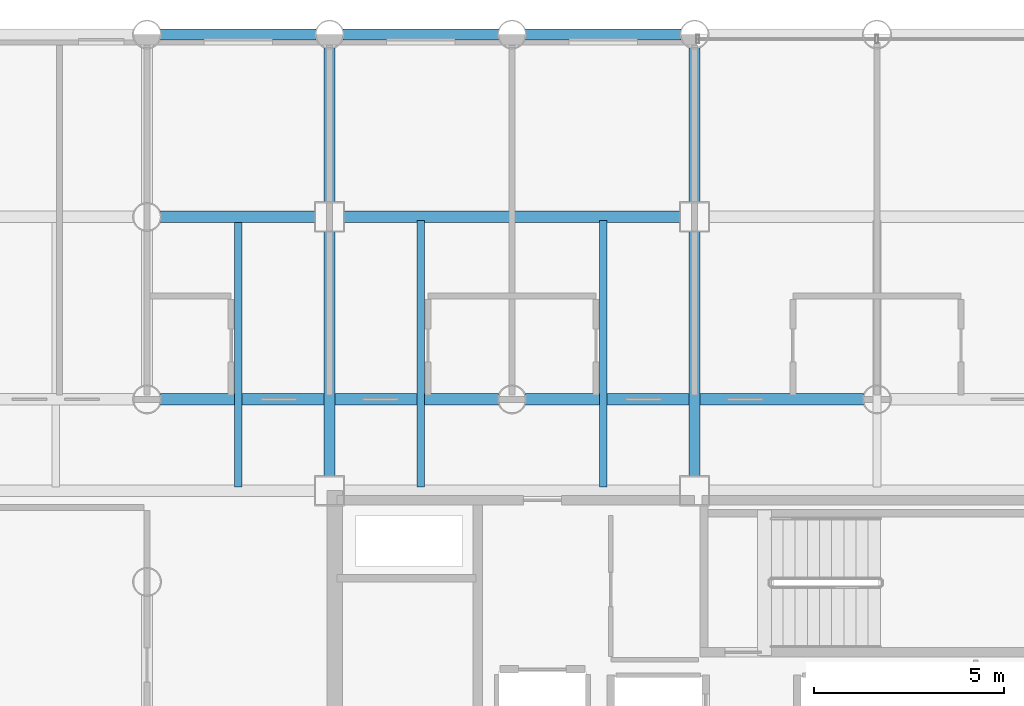
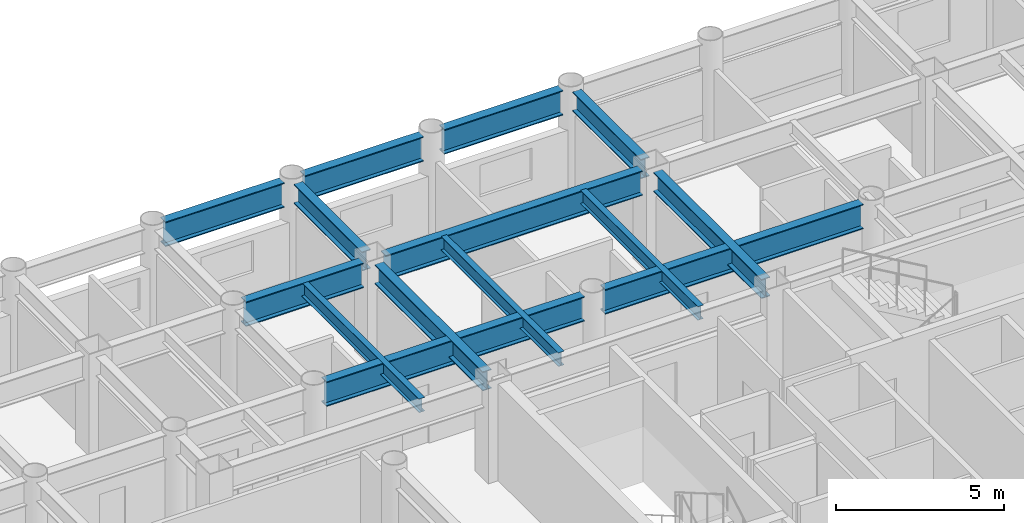
# One storey, part 10 of 22: 14 beams.
"""IFC4 building model written with IfcOpenShell, lengths in metres."""

from ifc_helpers import new_model, si_unit, direction, frame, origin, origin_2d, place, context, subcontext, project, spatial, i_section, extrude, material, material_profile, profile_set, type_object, element, save


model = new_model("IFC4")

# Units and contexts
model_context = context("Model", 3, precision=1e-05, world=origin(), true_north=direction((0.0, 1.0)))
body_context = subcontext(model_context, "Body", "Model", "MODEL_VIEW")
ifc_project = project(units=[si_unit("LENGTHUNIT", "METRE"), si_unit("AREAUNIT", "SQUARE_METRE"), si_unit("VOLUMEUNIT", "CUBIC_METRE"), si_unit("PLANEANGLEUNIT", "RADIAN"), si_unit("MASSUNIT", "GRAM", prefix="KILO")], contexts=[model_context])

# Site, building, storey
site_placement = place(None, origin())
site = spatial("IfcSite", under=ifc_project, at=site_placement, CompositionType="ELEMENT")
building_placement = place(site_placement, origin())
building = spatial("IfcBuilding", under=site, at=building_placement, Name="Kallvorn Hotel Tower", CompositionType="ELEMENT")
storey_placement = place(building_placement, frame((0.0, 0.0, 37.39990234375)))
storey = spatial("IfcBuildingStorey", under=building, at=storey_placement, Name="L07", CompositionType="ELEMENT", Elevation=37.39990234375)

# Beams
ifc_material_1 = material(Name="Structural steel S355JR", Category="steel")
ifc_material_profile_1 = material_profile(ifc_material_1, i_section(OverallWidth=0.300048828125, OverallDepth=0.699951171875, WebThickness=0.01708984375, FlangeThickness=0.031982421875, at=origin_2d()), Name="HE 700 B")
ifc_profile_set_1 = profile_set([ifc_material_profile_1], Name="Structural steel S355JR")
beam_type_1 = type_object("IfcBeamType", Name="BM_HE700B", PredefinedType="BEAM", material=ifc_profile_set_1)
beam_1_placement = place(storey_placement, frame((-14.39990234375, 7.574951171875, 3.170166015625), z_axis=(0.0, 1.0, 0.0), x_axis=(-1.0, 0.0, 0.0)))
element("IfcBeam", 1, at=beam_1_placement, inside=storey, type_object=beam_type_1, Name="L08 Primary Y-Girder 101", PredefinedType="BEAM", context=body_context, shape_type="SweptSolid", body=[
    extrude(i_section(OverallWidth=0.300048828125, OverallDepth=0.699951171875, WebThickness=0.01708984375, FlangeThickness=0.031982421875, at=origin_2d()), origin(), (0.0, 0.0, 1.0), 6.449951171875),
])
beam_2_placement = place(storey_placement, frame((-14.39990234375, 14.77490234375, 3.170166015625), z_axis=(0.0, 1.0, 0.0), x_axis=(-1.0, 0.0, 0.0)))
element("IfcBeam", 2, at=beam_2_placement, inside=storey, type_object=beam_type_1, Name="L08 Primary Y-Girder 102", PredefinedType="BEAM", context=body_context, shape_type="SweptSolid", body=[
    extrude(i_section(OverallWidth=0.300048828125, OverallDepth=0.699951171875, WebThickness=0.01708984375, FlangeThickness=0.031982421875, at=origin_2d()), origin(), (0.0, 0.0, 1.0), 4.069091796875),
])
beam_3_placement = place(storey_placement, frame((-4.800048828125, 7.574951171875, 3.170166015625), z_axis=(0.0, 1.0, 0.0), x_axis=(-1.0, 0.0, 0.0)))
element("IfcBeam", 3, at=beam_3_placement, inside=storey, type_object=beam_type_1, Name="L08 Primary Y-Girder 109", PredefinedType="BEAM", context=body_context, shape_type="SweptSolid", body=[
    extrude(i_section(OverallWidth=0.300048828125, OverallDepth=0.699951171875, WebThickness=0.01708984375, FlangeThickness=0.031982421875, at=origin_2d()), origin(), (0.0, 0.0, 1.0), 6.449951171875),
])
beam_4_placement = place(storey_placement, frame((-4.800048828125, 14.77490234375, 3.170166015625), z_axis=(0.0, 1.0, 0.0), x_axis=(-1.0, 0.0, 0.0)))
element("IfcBeam", 4, at=beam_4_placement, inside=storey, type_object=beam_type_1, Name="L08 Primary Y-Girder 110", PredefinedType="BEAM", context=body_context, shape_type="SweptSolid", body=[
    extrude(i_section(OverallWidth=0.300048828125, OverallDepth=0.699951171875, WebThickness=0.01708984375, FlangeThickness=0.031982421875, at=origin_2d()), origin(), (0.0, 0.0, 1.0), 4.069091796875),
])
ifc_material_2 = material(Name="Structural steel S355JR", Category="steel")
ifc_material_profile_2 = material_profile(ifc_material_2, i_section(OverallWidth=0.300048828125, OverallDepth=0.89990234375, WebThickness=0.0185546875, FlangeThickness=0.034912109375, at=origin_2d()), Name="HE 900 B")
ifc_profile_set_2 = profile_set([ifc_material_profile_2], Name="Structural steel S355JR")
beam_type_2 = type_object("IfcBeamType", Name="BM_HE900B", PredefinedType="BEAM", material=ifc_profile_set_2)
for number, where, z_axis, x_axis, name in (
    (5, (-18.843994140625, 9.60009765625, 3.070068359375), (1.0, 0.0, 0.0), (0.0, 1.0, 0.0), "L08 Primary X-Girder 45"),
    (6, (-9.243896484375, 9.60009765625, 3.070068359375), (1.0, 0.0, 0.0), (0.0, 1.0, 0.0), "L08 Primary X-Girder 46"),
):
    element("IfcBeam", number, at=place(storey_placement, frame(where, z_axis=z_axis, x_axis=x_axis)), inside=storey, type_object=beam_type_2, Name=name, PredefinedType="BEAM", context=body_context, shape_type="SweptSolid", body=[
        extrude(i_section(OverallWidth=0.300048828125, OverallDepth=0.89990234375, WebThickness=0.0185546875, FlangeThickness=0.034912109375, at=origin_2d()), origin(), (0.0, 0.0, 1.0), 8.887939453125),
    ])
beam_5_placement = place(storey_placement, frame((-18.843994140625, 14.39990234375, 3.070068359375), z_axis=(1.0, 0.0, 0.0), x_axis=(0.0, 1.0, 0.0)))
element("IfcBeam", 7, at=beam_5_placement, inside=storey, type_object=beam_type_2, Name="L08 Primary X-Girder 54", PredefinedType="BEAM", context=body_context, shape_type="SweptSolid", body=[
    extrude(i_section(OverallWidth=0.300048828125, OverallDepth=0.89990234375, WebThickness=0.0185546875, FlangeThickness=0.034912109375, at=origin_2d()), origin(), (0.0, 0.0, 1.0), 4.069091796875),
])
beam_6_placement = place(storey_placement, frame((-14.02490234375, 14.39990234375, 3.070068359375), z_axis=(1.0, 0.0, 0.0), x_axis=(0.0, 1.0, 0.0)))
element("IfcBeam", 8, at=beam_6_placement, inside=storey, type_object=beam_type_2, Name="L08 Primary X-Girder 55", PredefinedType="BEAM", context=body_context, shape_type="SweptSolid", body=[
    extrude(i_section(OverallWidth=0.300048828125, OverallDepth=0.89990234375, WebThickness=0.0185546875, FlangeThickness=0.034912109375, at=origin_2d()), origin(), (0.0, 0.0, 1.0), 8.849853515625),
])
for number, where, z_axis, x_axis, name in (
    (9, (-18.843994140625, 19.199951171875, 3.070068359375), (1.0, 0.0, 0.0), (0.0, 1.0, 0.0), "L08 Primary X-Girder 63"),
    (10, (-14.0439453125, 19.199951171875, 3.070068359375), (1.0, 0.0, 0.0), (0.0, 1.0, 0.0), "L08 Primary X-Girder 64"),
    (11, (-9.243896484375, 19.199951171875, 3.070068359375), (1.0, 0.0, 0.0), (0.0, 1.0, 0.0), "L08 Primary X-Girder 65"),
):
    element("IfcBeam", number, at=place(storey_placement, frame(where, z_axis=z_axis, x_axis=x_axis)), inside=storey, type_object=beam_type_2, Name=name, PredefinedType="BEAM", context=body_context, shape_type="SweptSolid", body=[
        extrude(i_section(OverallWidth=0.300048828125, OverallDepth=0.89990234375, WebThickness=0.0185546875, FlangeThickness=0.034912109375, at=origin_2d()), origin(), (0.0, 0.0, 1.0), 4.087890625),
    ])
ifc_material_3 = material(Name="Structural steel S355JR", Category="steel")
ifc_material_profile_3 = material_profile(ifc_material_3, i_section(OverallWidth=0.199951171875, OverallDepth=0.5, WebThickness=0.01025390625, FlangeThickness=0.01611328125, at=origin_2d()), Name="IPE 500")
ifc_profile_set_3 = profile_set([ifc_material_profile_3], Name="Structural steel S355JR")
beam_type_3 = type_object("IfcBeamType", Name="BM_IPE500", PredefinedType="JOIST", material=ifc_profile_set_3)
for number, where, z_axis, x_axis, name in (
    (12, (-16.800048828125, 7.300048828125, 3.27001953125), (0.0, 1.0, 0.0), (-1.0, 0.0, 0.0), "L08 Secondary Composite Joist 195"),
    (13, (-12.0, 7.300048828125, 3.27001953125), (0.0, 1.0, 0.0), (-1.0, 0.0, 0.0), "L08 Secondary Composite Joist 197"),
    (14, (-7.199951171875, 7.300048828125, 3.27001953125), (0.0, 1.0, 0.0), (-1.0, 0.0, 0.0), "L08 Secondary Composite Joist 199"),
):
    element("IfcBeam", number, at=place(storey_placement, frame(where, z_axis=z_axis, x_axis=x_axis)), inside=storey, type_object=beam_type_3, Name=name, PredefinedType="JOIST", context=body_context, shape_type="SweptSolid", body=[
        extrude(i_section(OverallWidth=0.199951171875, OverallDepth=0.5, WebThickness=0.01025390625, FlangeThickness=0.01611328125, at=origin_2d()), origin(), (0.0, 0.0, 1.0), 7.0),
    ])

save(model, "model.ifc")
